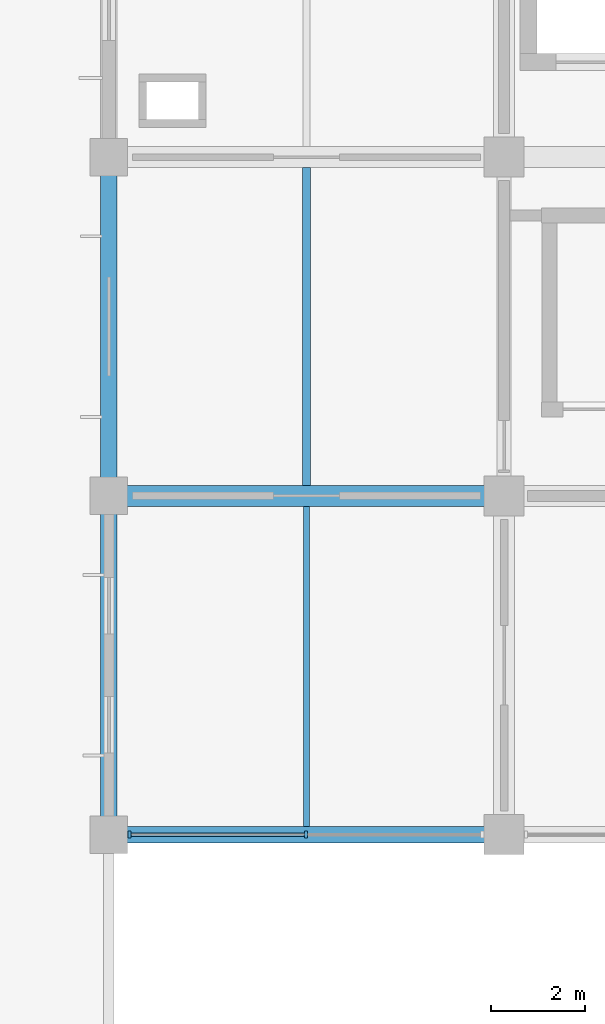
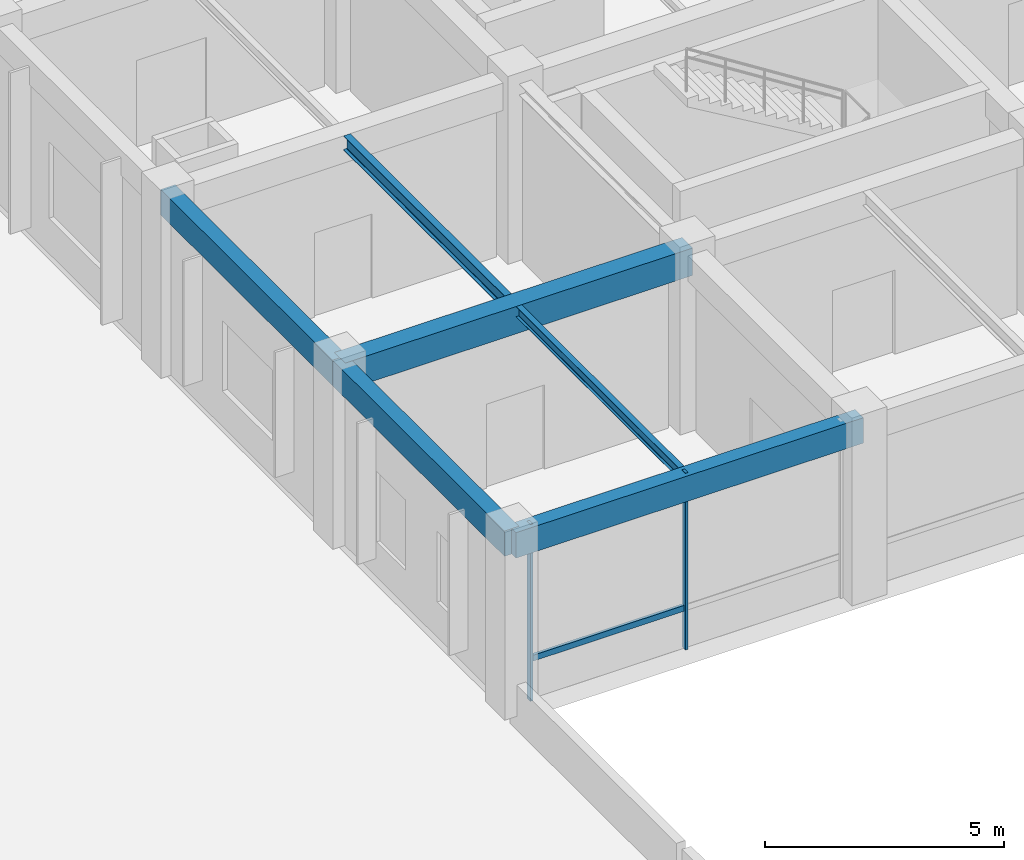
# One storey, part 28 of 45: 6 beams, 3 members, 1 element without a shape of its own.
"""IFC4 building model written with IfcOpenShell, lengths in metres."""

from ifc_helpers import new_model, si_unit, derived_unit, direction, frame, origin, origin_2d, place, context, subcontext, project, spatial, rectangle, i_section, extrude, material, material_profile, profile_set, type_object, element, aggregate, save


model = new_model("IFC4")

# Units and contexts
model_context = context("Model", 3, precision=1e-05, world=origin(), true_north=direction((0.0, 1.0)))
body_context = subcontext(model_context, "Body", "Model", "MODEL_VIEW")
ifc_project = project(units=[si_unit("LENGTHUNIT", "METRE"), si_unit("AREAUNIT", "SQUARE_METRE"), si_unit("VOLUMEUNIT", "CUBIC_METRE"), si_unit("PLANEANGLEUNIT", "RADIAN"), si_unit("MASSUNIT", "GRAM", prefix="KILO"), derived_unit("THERMALTRANSMITTANCEUNIT", [(si_unit("MASSUNIT", "GRAM", prefix="KILO"), 1), (si_unit("TIMEUNIT", "SECOND"), -3), (si_unit("THERMODYNAMICTEMPERATUREUNIT", "KELVIN"), -1)])], contexts=[model_context])

# Site, building, storey
site_placement = place(None, origin())
site = spatial("IfcSite", under=ifc_project, at=site_placement, CompositionType="ELEMENT")
building_placement = place(site_placement, origin())
building = spatial("IfcBuilding", under=site, at=building_placement, Name="Veldstrom Oceanarium and Marine Research Institute", CompositionType="ELEMENT")
storey_placement = place(building_placement, frame((0.0, 0.0, 22.199951171875)))
storey = spatial("IfcBuildingStorey", under=building, at=storey_placement, Name="L04", CompositionType="ELEMENT", Elevation=22.199951171875)

# Curtain wall, members
ifc_material_1 = material(Name="Anodised Aluminium Framing", Category="aluminium")
curtain_wall_type = type_object("IfcCurtainWallType", Name="ARC-CW-CW03", PredefinedType="USERDEFINED", material=ifc_material_1)
curtain_wall_placement = place(storey_placement, origin())
curtain_wall = element("IfcCurtainWall", 1, at=curtain_wall_placement, inside=storey, type_object=curtain_wall_type, Name="Curtain Wall CW03 CW-L04-078", ObjectType="Curtain wall", PredefinedType="USERDEFINED")
ifc_material_2 = material(Name="Anodised Aluminium Framing", Category="aluminium")
ifc_material_profile_1 = material_profile(ifc_material_2, rectangle(XDim=0.06494140625, YDim=0.14990234375, at=origin_2d()), Name="ALU-MUL-65x150")
ifc_profile_set_1 = profile_set([ifc_material_profile_1], Name="Anodised Aluminium Framing")
member_type_1 = type_object("IfcMemberType", Name="ARC-MUL-ML2", PredefinedType="MULLION", material=ifc_profile_set_1)
member_1_placement = place(storey_placement, frame((67.639892578125, 43.199951171875, 0.0), z_axis=(0.0, 0.0, 1.0), x_axis=(1.0, 0.0, 0.0)))
member_1 = element("IfcMember", 2, at=member_1_placement, type_object=member_type_1, Name="Curtain Wall Mullion CW-L04-078-MUL-1", PredefinedType="MULLION", context=body_context, shape_type="SweptSolid", body=[
    extrude(rectangle(XDim=0.06494140625, YDim=0.14990234375, at=origin_2d()), origin(), (0.0, 0.0, 1.0), 4.52001953125),
])
member_2_placement = place(storey_placement, frame((71.387451171875, 43.199951171875, 0.0), z_axis=(0.0, 0.0, 1.0), x_axis=(1.0, 0.0, 0.0)))
member_2 = element("IfcMember", 3, at=member_2_placement, type_object=member_type_1, Name="Curtain Wall Mullion CW-L04-078-MUL-2", PredefinedType="MULLION", context=body_context, shape_type="SweptSolid", body=[
    extrude(rectangle(XDim=0.06494140625, YDim=0.14990234375, at=origin_2d()), origin(), (0.0, 0.0, 1.0), 4.52001953125),
])
ifc_material_3 = material(Name="Anodised Aluminium Framing", Category="aluminium")
ifc_material_profile_2 = material_profile(ifc_material_3, rectangle(XDim=0.074951171875, YDim=0.14990234375, at=origin_2d()), Name="ALU-TRN-75x150")
ifc_profile_set_2 = profile_set([ifc_material_profile_2], Name="Anodised Aluminium Framing")
member_type_2 = type_object("IfcMemberType", Name="ARC-TRN-TR1", PredefinedType="USERDEFINED", material=ifc_profile_set_2)
member_3_placement = place(storey_placement, frame((67.679931640625, 43.199951171875, 1.050048828125), z_axis=(1.0, 0.0, 0.0), x_axis=(0.0, 1.0, 0.0)))
member_3 = element("IfcMember", 4, at=member_3_placement, type_object=member_type_2, Name="Curtain Wall Transom CW-L04-078-TRN-1", ObjectType="Transom", PredefinedType="USERDEFINED", context=body_context, shape_type="SweptSolid", body=[
    extrude(rectangle(XDim=0.074951171875, YDim=0.14990234375, at=origin_2d()), origin(), (0.0, 0.0, 1.0), 3.66748046875),
])
aggregate(curtain_wall, [member_1, member_2, member_3])

# Beams
ifc_material_4 = material(Name="Concrete C40/50", Category="concrete")
ifc_material_profile_3 = material_profile(ifc_material_4, rectangle(XDim=0.449951171875, YDim=0.699951171875, at=origin_2d()), Name="RC-BM-450x700")
ifc_profile_set_3 = profile_set([ifc_material_profile_3], Name="Concrete C40/50")
beam_type_1 = type_object("IfcBeamType", Name="STR-BM-B04", PredefinedType="BEAM", material=ifc_profile_set_3)
beam_1_placement = place(storey_placement, frame((67.199951171875, 50.39990234375, 4.1650390625), z_axis=(1.0, 0.0, 0.0), x_axis=(0.0, 1.0, 0.0)))
element("IfcBeam", 5, at=beam_1_placement, inside=storey, type_object=beam_type_1, Name="Primary Beam B04 L04-2096", PredefinedType="BEAM", context=body_context, shape_type="SweptSolid", body=[
    extrude(rectangle(XDim=0.449951171875, YDim=0.699951171875, at=origin_2d()), origin(), (0.0, 0.0, 1.0), 8.400146484375),
])
ifc_material_5 = material(Name="Steel S355JR", Category="steel")
ifc_material_profile_4 = material_profile(ifc_material_5, i_section(OverallWidth=0.169921875, OverallDepth=0.360107421875, WebThickness=0.008056640625, FlangeThickness=0.0126953125, FilletRadius=0.01806640625, at=origin_2d()), Name="IPE 360")
ifc_profile_set_4 = profile_set([ifc_material_profile_4], Name="Steel S355JR")
beam_type_2 = type_object("IfcBeamType", Name="STR-JST-SJ1", PredefinedType="JOIST", material=ifc_profile_set_4)
beam_2_placement = place(storey_placement, frame((71.39990234375, 50.625, 4.3349609375), z_axis=(0.0, 1.0, 0.0), x_axis=(-1.0, 0.0, 0.0)))
element("IfcBeam", 6, at=beam_2_placement, inside=storey, type_object=beam_type_2, Name="Secondary Joist SJ1 L04-2154", PredefinedType="JOIST", context=body_context, shape_type="SweptSolid", body=[
    extrude(i_section(OverallWidth=0.169921875, OverallDepth=0.360107421875, WebThickness=0.008056640625, FlangeThickness=0.0126953125, FilletRadius=0.01806640625, at=origin_2d()), origin(), (0.0, 0.0, 1.0), 6.75),
])
ifc_material_6 = material(Name="Steel S355JR", Category="steel")
ifc_material_profile_5 = material_profile(ifc_material_6, i_section(OverallWidth=0.135009765625, OverallDepth=0.27001953125, WebThickness=0.006591796875, FlangeThickness=0.01025390625, FilletRadius=0.014892578125, at=origin_2d()), Name="IPE 270")
ifc_profile_set_5 = profile_set([ifc_material_profile_5], Name="Steel S355JR")
beam_type_3 = type_object("IfcBeamType", Name="STR-JST-SJ3", PredefinedType="JOIST", material=ifc_profile_set_5)
beam_3_placement = place(storey_placement, frame((71.39990234375, 43.375, 4.380126953125), z_axis=(0.0, 1.0, 0.0), x_axis=(-1.0, 0.0, 0.0)))
element("IfcBeam", 7, at=beam_3_placement, inside=storey, type_object=beam_type_3, Name="Secondary Joist SJ3 L04-2153", PredefinedType="JOIST", context=body_context, shape_type="SweptSolid", body=[
    extrude(i_section(OverallWidth=0.135009765625, OverallDepth=0.27001953125, WebThickness=0.006591796875, FlangeThickness=0.01025390625, FilletRadius=0.014892578125, at=origin_2d()), origin(), (0.0, 0.0, 1.0), 6.800048828125),
])
ifc_material_7 = material(Name="Concrete C40/50", Category="concrete")
ifc_material_profile_6 = material_profile(ifc_material_7, rectangle(XDim=0.35009765625, YDim=0.64990234375, at=origin_2d()), Name="RC-SPN-350x650")
ifc_profile_set_6 = profile_set([ifc_material_profile_6], Name="Concrete C40/50")
beam_type_4 = type_object("IfcBeamType", Name="STR-SPN-SP1", PredefinedType="SPANDREL", material=ifc_profile_set_6)
beam_4_placement = place(storey_placement, frame((67.199951171875, 43.199951171875, 4.18994140625), z_axis=(1.0, 0.0, 0.0), x_axis=(0.0, 1.0, 0.0)))
element("IfcBeam", 8, at=beam_4_placement, inside=storey, type_object=beam_type_4, Name="Perimeter Spandrel SPB1 L04-2095", PredefinedType="SPANDREL", context=body_context, shape_type="SweptSolid", body=[
    extrude(rectangle(XDim=0.35009765625, YDim=0.64990234375, at=origin_2d()), origin(), (0.0, 0.0, 1.0), 8.400146484375),
])
beam_5_placement = place(storey_placement, frame((67.199951171875, 43.199951171875, 4.18994140625), z_axis=(0.0, 1.0, 0.0), x_axis=(-1.0, 0.0, 0.0)))
element("IfcBeam", 9, at=beam_5_placement, inside=storey, type_object=beam_type_4, Name="Perimeter Spandrel SPB1 L04-2125", PredefinedType="SPANDREL", context=body_context, shape_type="SweptSolid", body=[
    extrude(rectangle(XDim=0.35009765625, YDim=0.64990234375, at=origin_2d()), origin(), (0.0, 0.0, 1.0), 7.199951171875),
])
beam_6_placement = place(storey_placement, frame((67.199951171875, 50.39990234375, 4.18994140625), z_axis=(0.0, 1.0, 0.0), x_axis=(-1.0, 0.0, 0.0)))
element("IfcBeam", 10, at=beam_6_placement, inside=storey, type_object=beam_type_4, Name="Perimeter Spandrel SPB1 L04-2126", PredefinedType="SPANDREL", context=body_context, shape_type="SweptSolid", body=[
    extrude(rectangle(XDim=0.35009765625, YDim=0.64990234375, at=origin_2d()), origin(), (0.0, 0.0, 1.0), 7.2001953125),
])

save(model, "model.ifc")
